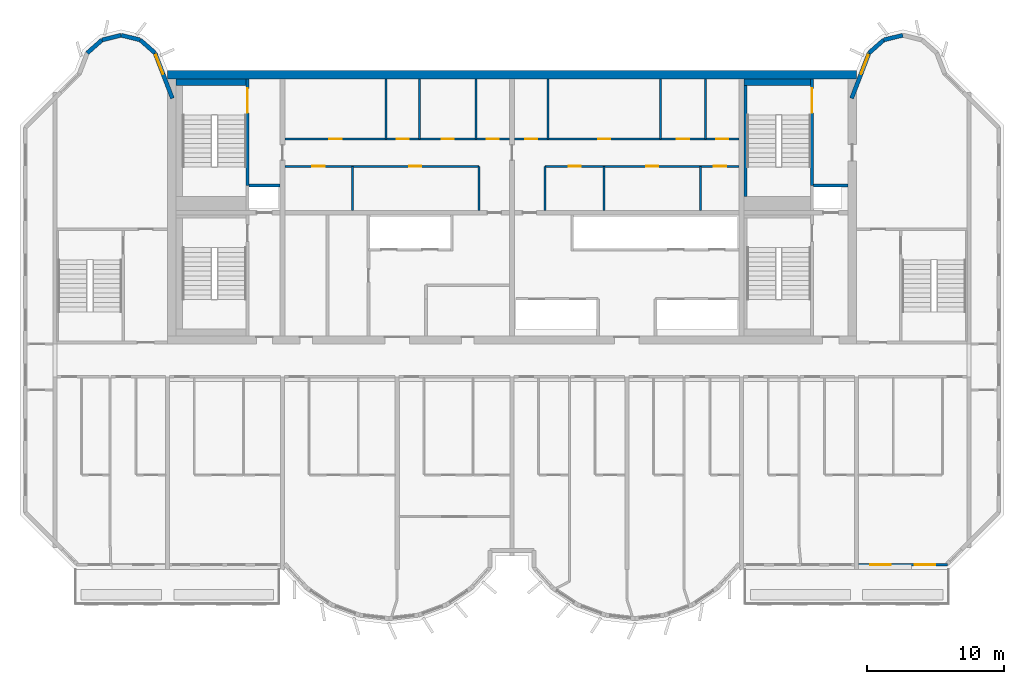
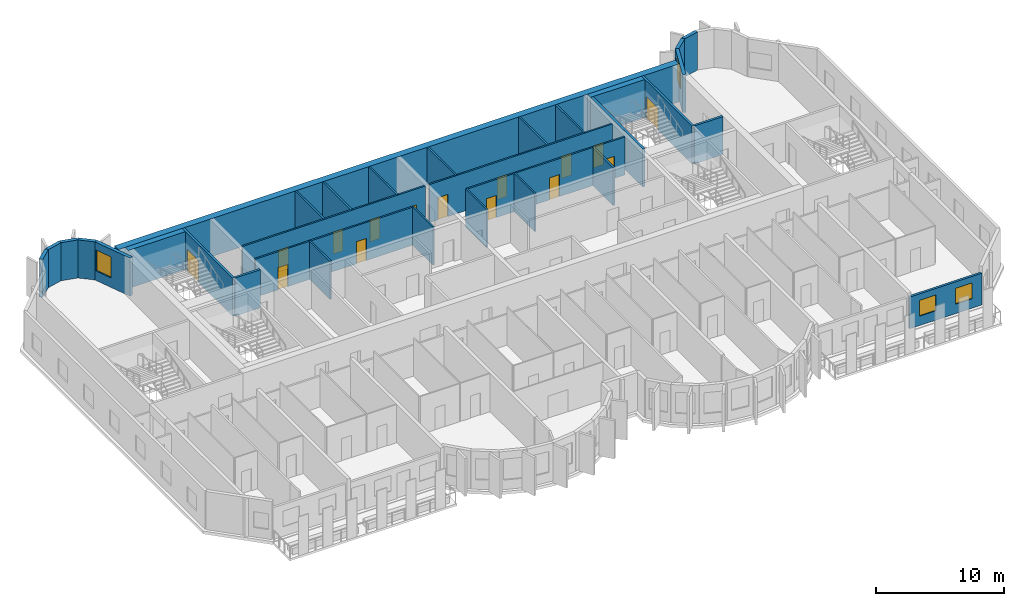
# One storey, part 7 of 11: 32 walls, 15 doors, 4 windows, 19 openings.
"""IFC4 building model written with IfcOpenShell, lengths in metres."""

from ifc_helpers import new_model, si_unit, direction, frame, frame_2d, origin, place, context, subcontext, project, spatial, rectangle, extrude, source, transform, mapped, material, layer, layer_set, type_object, element, fill, save


model = new_model("IFC4")

# Units and contexts
model_context = context("Model", 3, precision=1e-05, world=origin(), true_north=direction((0.0, 1.0)))
body_context = subcontext(model_context, "Body", "Model", "MODEL_VIEW")
ifc_project = project(units=[si_unit("LENGTHUNIT", "METRE"), si_unit("AREAUNIT", "SQUARE_METRE"), si_unit("VOLUMEUNIT", "CUBIC_METRE"), si_unit("PLANEANGLEUNIT", "RADIAN"), si_unit("MASSUNIT", "GRAM", prefix="KILO")], contexts=[model_context])

# Site, building, storey
site_placement = place(None, origin())
site = spatial("IfcSite", under=ifc_project, at=site_placement, CompositionType="ELEMENT")
building_placement = place(site_placement, origin())
building = spatial("IfcBuilding", under=site, at=building_placement, Name="Vanashikhar Sky Hotel", CompositionType="ELEMENT")
storey_placement = place(building_placement, frame((0.0, 0.0, 217.89990234375)))
storey = spatial("IfcBuildingStorey", under=building, at=storey_placement, Name="L52", CompositionType="ELEMENT", Elevation=217.89990234375)

# Wall
ifc_material_1 = material(Name="Concrete M60", Category="concrete")
ifc_layer_1 = layer(ifc_material_1, 0.60009765625)
ifc_layer_set_1 = layer_set([ifc_layer_1], Name="RC core shell wall 600 Concrete M60")
wall_type_1 = type_object("IfcWallType", Name="RC core shell wall 600 Concrete M60", PredefinedType="SHEAR", material=ifc_layer_set_1)
shared_shape_1 = source(origin(), body_context, "Body", "SweptSolid", [
    extrude(rectangle(XDim=50.400146484375, YDim=0.60009765625, at=frame_2d((25.2001953125, 0.0))), origin(), (0.0, 0.0, 1.0), 3.6201171875),
])
wall_1_placement = place(storey_placement, frame((25.199951171875, 41.699951171875, 0.0), z_axis=(0.0, 0.0, 1.0), x_axis=(1.0, 0.0, 0.0)))
element("IfcWall", 1, at=wall_1_placement, inside=storey, type_object=wall_type_1, Name="KW-L52-KN", PredefinedType="SHEAR", context=body_context, shape_type="MappedRepresentation", body=[
    mapped(shared_shape_1, transform((0.0, 0.0, 0.0), scale=1.0)),
])

# Wall, openings, windows
ifc_material_2 = material(Name="Concrete M50", Category="concrete")
ifc_layer_2 = layer(ifc_material_2, 0.199951171875)
ifc_layer_set_2 = layer_set([ifc_layer_2], Name="Front window wall 200")
wall_type_2 = type_object("IfcWallType", Name="Front window wall 200", PredefinedType="SOLIDWALL", material=ifc_layer_set_2)
shared_shape_2 = source(origin(), body_context, "Body", "SweptSolid", [
    extrude(rectangle(XDim=6.5048828125, YDim=0.199951171875, at=frame_2d((3.25244140625, 0.0))), origin(), (0.0, 0.0, 1.0), 3.02001953125),
])
wall_2_placement = place(storey_placement, frame((75.75, 5.85009765625, 0.0), z_axis=(0.0, 0.0, 1.0), x_axis=(1.0, 0.0, 0.0)))
wall_2 = element("IfcWall", 2, at=wall_2_placement, inside=storey, type_object=wall_type_2, Name="Front window wall", PredefinedType="SOLIDWALL", context=body_context, shape_type="MappedRepresentation", body=[
    mapped(shared_shape_2, transform((0.0, 0.0, 0.0), scale=1.0)),
])
shared_shape_3 = source(origin(), body_context, "Body", "SweptSolid", [
    extrude(rectangle(XDim=1.5, YDim=1.5, at=frame_2d((0.75, 0.75))), frame((0.0, 0.10986328125, 0.0), z_axis=(0.0, -1.0, 0.0), x_axis=(1.0, 0.0, 0.0)), (0.0, 0.0, 1.0), 0.219970703125),
])
opening_1_placement = place(wall_2_placement, frame((0.876220703125, 0.0, 0.89990234375)))
opening_1 = element("IfcOpeningElement", 3, at=opening_1_placement, cuts=wall_2, Name="Opening WN-1", PredefinedType="OPENING", context=body_context, shape_type="MappedRepresentation", body=[
    mapped(shared_shape_3, transform((0.0, 0.0, 0.0), scale=1.0)),
])
opening_2_placement = place(wall_2_placement, frame((4.128662109375, 0.0, 0.89990234375)))
opening_2 = element("IfcOpeningElement", 4, at=opening_2_placement, cuts=wall_2, Name="Opening WN-1", PredefinedType="OPENING", context=body_context, shape_type="MappedRepresentation", body=[
    mapped(shared_shape_3, transform((0.0, 0.0, 0.0), scale=1.0)),
])
ifc_material_3 = material(Name="Glass", Category="glass")
window_type_1 = type_object("IfcWindowType", Name="Window 1500 x 1500", PartitioningType="SINGLE_PANEL", PredefinedType="WINDOW", material=ifc_material_3)
shared_shape_4 = source(origin(), body_context, "Body", "SweptSolid", [
    extrude(rectangle(XDim=1.5, YDim=1.5, at=frame_2d((0.75, 0.75))), frame((0.0, 0.030029296875, 0.0), z_axis=(0.0, -1.0, 0.0), x_axis=(1.0, 0.0, 0.0)), (0.0, 0.0, 1.0), 0.06005859375),
])
window_1_placement = place(opening_1_placement, origin())
window_1 = element("IfcWindow", 5, at=window_1_placement, inside=storey, type_object=window_type_1, Name="Window WN-1", OverallHeight=1.5, OverallWidth=1.5, PartitioningType="SINGLE_PANEL", PredefinedType="WINDOW", context=body_context, shape_type="MappedRepresentation", body=[
    mapped(shared_shape_4, transform((0.0, 0.0, 0.0), scale=1.0)),
])
fill(opening_1, window_1)
window_2_placement = place(opening_2_placement, origin())
window_2 = element("IfcWindow", 6, at=window_2_placement, inside=storey, type_object=window_type_1, Name="Window WN-1", OverallHeight=1.5, OverallWidth=1.5, PartitioningType="SINGLE_PANEL", PredefinedType="WINDOW", context=body_context, shape_type="MappedRepresentation", body=[
    mapped(shared_shape_4, transform((0.0, 0.0, 0.0), scale=1.0)),
])
fill(opening_2, window_2)

# Walls
ifc_layer_3 = layer(ifc_material_2, 0.300048828125)
ifc_layer_set_3 = layer_set([ifc_layer_3], Name="Lobe wall 300")
wall_type_3 = type_object("IfcWallType", Name="Lobe wall 300", PredefinedType="SOLIDWALL", material=ifc_layer_set_3)
shared_shape_5 = source(origin(), body_context, "Body", "SweptSolid", [
    extrude(rectangle(XDim=1.43994140625, YDim=0.300048828125, at=frame_2d((0.719970703125, 0.0))), origin(), (0.0, 0.0, 1.0), 3.6201171875),
])
for number, where, z_axis, x_axis, name in (
    (7, (77.602783203125, 44.2451171875, 0.0), (0.0, 0.0, 1.0), (-0.74957555648, -0.661918790432, 0.0), "Lobe wall"),
    (8, (20.40283203125, 44.2451171875, 0.0), (0.0, 0.0, 1.0), (-0.74957555648, -0.661918790432, 0.0), "Lobe wall"),
):
    element("IfcWall", number, at=place(storey_placement, frame(where, z_axis=z_axis, x_axis=x_axis)), inside=storey, type_object=wall_type_3, Name=name, PredefinedType="SOLIDWALL", context=body_context, shape_type="MappedRepresentation", body=[
        mapped(shared_shape_5, transform((0.0, 0.0, 0.0), scale=1.0)),
    ])
shared_shape_6 = source(origin(), body_context, "Body", "SweptSolid", [
    extrude(rectangle(XDim=1.438720703125, YDim=0.300048828125, at=frame_2d((0.71923828125, 0.0))), origin(), (0.0, 0.0, 1.0), 3.6201171875),
])
for number, where, z_axis, x_axis, name in (
    (9, (79.0, 44.588134765625, 0.0), (0.0, 0.0, 1.0), (-0.971161932466, -0.238420848351, 0.0), "Lobe wall"),
    (10, (21.800048828125, 44.588134765625, 0.0), (0.0, 0.0, 1.0), (-0.971161932466, -0.238420848351, 0.0), "Lobe wall"),
):
    element("IfcWall", number, at=place(storey_placement, frame(where, z_axis=z_axis, x_axis=x_axis)), inside=storey, type_object=wall_type_3, Name=name, PredefinedType="SOLIDWALL", context=body_context, shape_type="MappedRepresentation", body=[
        mapped(shared_shape_6, transform((0.0, 0.0, 0.0), scale=1.0)),
    ])

# Wall, opening, window
shared_shape_7 = source(origin(), body_context, "Body", "SweptSolid", [
    extrude(rectangle(XDim=3.55908203125, YDim=0.300048828125, at=frame_2d((1.779541015625, 0.0))), origin(), (0.0, 0.0, 1.0), 3.6201171875),
])
wall_3_placement = place(storey_placement, frame((76.5234375, 43.2919921875, 0.0), z_axis=(0.0, 0.0, 1.0), x_axis=(-0.35779745313, -0.933799219604, 0.0)))
wall_3 = element("IfcWall", 11, at=wall_3_placement, inside=storey, type_object=wall_type_3, Name="Lobe wall", PredefinedType="SOLIDWALL", context=body_context, shape_type="MappedRepresentation", body=[
    mapped(shared_shape_7, transform((0.0, 0.0, 0.0), scale=1.0)),
])
shared_shape_8 = source(origin(), body_context, "Body", "SweptSolid", [
    extrude(rectangle(XDim=1.5, YDim=2.0, at=frame_2d((0.75, 1.0))), frame((0.0, 0.16015625, 0.0), z_axis=(0.0, -1.0, 0.0), x_axis=(1.0, 0.0, 0.0)), (0.0, 0.0, 1.0), 0.320068359375),
])
opening_3_placement = place(wall_3_placement, frame((0.156005859375, 0.0, 0.89990234375)))
opening_3 = element("IfcOpeningElement", 12, at=opening_3_placement, cuts=wall_3, Name="Opening WN-2", PredefinedType="OPENING", context=body_context, shape_type="MappedRepresentation", body=[
    mapped(shared_shape_8, transform((0.0, 0.0, 0.0), scale=1.0)),
])
window_type_2 = type_object("IfcWindowType", Name="Lobe window 1500 x 2000", PartitioningType="SINGLE_PANEL", PredefinedType="WINDOW", material=ifc_material_3)
shared_shape_9 = source(origin(), body_context, "Body", "SweptSolid", [
    extrude(rectangle(XDim=1.5, YDim=2.0, at=frame_2d((0.75, 1.0))), frame((0.0, 0.030029296875, 0.0), z_axis=(0.0, -1.0, 0.0), x_axis=(1.0, 0.0, 0.0)), (0.0, 0.0, 1.0), 0.06005859375),
])
window_3_placement = place(opening_3_placement, origin())
window_3 = element("IfcWindow", 13, at=window_3_placement, inside=storey, type_object=window_type_2, Name="Window WN-2", OverallHeight=2.0, OverallWidth=1.5, PartitioningType="SINGLE_PANEL", PredefinedType="WINDOW", context=body_context, shape_type="MappedRepresentation", body=[
    mapped(shared_shape_9, transform((0.0, 0.0, 0.0), scale=1.0)),
])
fill(opening_3, window_3)

wall_4_placement = place(storey_placement, frame((25.550048828125, 39.968505859375, 0.0), z_axis=(0.0, 0.0, 1.0), x_axis=(-0.35779745313, 0.933799219604, 0.0)))
wall_4 = element("IfcWall", 14, at=wall_4_placement, inside=storey, type_object=wall_type_3, Name="Lobe wall", PredefinedType="SOLIDWALL", context=body_context, shape_type="MappedRepresentation", body=[
    mapped(shared_shape_7, transform((0.0, 0.0, 0.0), scale=1.0)),
])
opening_4_placement = place(wall_4_placement, frame((1.9033203125, 0.0, 0.89990234375)))
opening_4 = element("IfcOpeningElement", 15, at=opening_4_placement, cuts=wall_4, Name="Opening WN-2", PredefinedType="OPENING", context=body_context, shape_type="MappedRepresentation", body=[
    mapped(shared_shape_8, transform((0.0, 0.0, 0.0), scale=1.0)),
])
window_4_placement = place(opening_4_placement, origin())
window_4 = element("IfcWindow", 16, at=window_4_placement, inside=storey, type_object=window_type_2, Name="Window WN-2", OverallHeight=2.0, OverallWidth=1.5, PartitioningType="SINGLE_PANEL", PredefinedType="WINDOW", context=body_context, shape_type="MappedRepresentation", body=[
    mapped(shared_shape_9, transform((0.0, 0.0, 0.0), scale=1.0)),
])
fill(opening_4, window_4)

# Walls
shared_shape_10 = source(origin(), body_context, "Body", "SweptSolid", [
    extrude(rectangle(XDim=1.440185546875, YDim=0.300048828125, at=frame_2d((0.72021484375, 0.0))), origin(), (0.0, 0.0, 1.0), 3.6201171875),
])
wall_5_placement = place(storey_placement, frame((24.276611328125, 43.2919921875, 0.0), z_axis=(0.0, 0.0, 1.0), x_axis=(-0.749649827867, 0.661834673902, 0.0)))
element("IfcWall", 17, at=wall_5_placement, inside=storey, type_object=wall_type_3, Name="Lobe wall", PredefinedType="SOLIDWALL", context=body_context, shape_type="MappedRepresentation", body=[
    mapped(shared_shape_10, transform((0.0, 0.0, 0.0), scale=1.0)),
])
shared_shape_11 = source(origin(), body_context, "Body", "SweptSolid", [
    extrude(rectangle(XDim=1.4384765625, YDim=0.300048828125, at=frame_2d((0.71923828125, 0.0))), origin(), (0.0, 0.0, 1.0), 3.6201171875),
])
wall_6_placement = place(storey_placement, frame((23.197021484375, 44.2451171875, 0.0), z_axis=(0.0, 0.0, 1.0), x_axis=(-0.971152283879, 0.238460146601, 0.0)))
element("IfcWall", 18, at=wall_6_placement, inside=storey, type_object=wall_type_3, Name="Lobe wall", PredefinedType="SOLIDWALL", context=body_context, shape_type="MappedRepresentation", body=[
    mapped(shared_shape_11, transform((0.0, 0.0, 0.0), scale=1.0)),
])
ifc_material_4 = material(Name="Gypsum board partition")
ifc_layer_4 = layer(ifc_material_4, 0.14990234375)
ifc_layer_set_4 = layer_set([ifc_layer_4], Name="Service partition 150")
wall_type_4 = type_object("IfcWallType", Name="Service partition 150", PredefinedType="PARTITIONING", material=ifc_layer_set_4)
shared_shape_12 = source(origin(), body_context, "Body", "SweptSolid", [
    extrude(rectangle(XDim=3.22509765625, YDim=0.14990234375, at=frame_2d((1.612548828125, 0.0))), origin(), (0.0, 0.0, 1.0), 3.6201171875),
])
for number, where, z_axis, x_axis, name in (
    (19, (48.0, 31.77490234375, 0.0), (0.0, 0.0, 1.0), (0.0, 1.0, 0.0), "Service partition 150"),
    (20, (38.72705078125, 31.77490234375, 0.0), (0.0, 0.0, 1.0), (0.0, 1.0, 0.0), "Service partition 150"),
    (21, (52.800048828125, 31.77490234375, 0.0), (0.0, 0.0, 1.0), (0.0, 1.0, 0.0), "Service partition 150"),
    (22, (64.195068359375, 31.77490234375, 0.0), (0.0, 0.0, 1.0), (0.0, 1.0, 0.0), "Service partition 150"),
    (23, (57.1201171875, 31.77490234375, 0.0), (0.0, 0.0, 1.0), (0.0, 1.0, 0.0), "Service partition 150"),
):
    element("IfcWall", number, at=place(storey_placement, frame(where, z_axis=z_axis, x_axis=x_axis)), inside=storey, type_object=wall_type_4, Name=name, PredefinedType="PARTITIONING", context=body_context, shape_type="MappedRepresentation", body=[
        mapped(shared_shape_12, transform((0.0, 0.0, 0.0), scale=1.0)),
    ])

# Wall, openings, doors
shared_shape_13 = source(origin(), body_context, "Body", "SweptSolid", [
    extrude(rectangle(XDim=14.22509765625, YDim=0.14990234375, at=frame_2d((7.112548828125, 0.0))), origin(), (0.0, 0.0, 1.0), 3.6201171875),
])
wall_7_placement = place(storey_placement, frame((33.77490234375, 35.0, 0.0), z_axis=(0.0, 0.0, 1.0), x_axis=(1.0, 0.0, 0.0)))
wall_7 = element("IfcWall", 24, at=wall_7_placement, inside=storey, type_object=wall_type_4, Name="Service partition 150", PredefinedType="PARTITIONING", context=body_context, shape_type="MappedRepresentation", body=[
    mapped(shared_shape_13, transform((0.0, 0.0, 0.0), scale=1.0)),
])
shared_shape_14 = source(origin(), body_context, "Body", "SweptSolid", [
    extrude(rectangle(XDim=0.89990234375, YDim=2.10009765625, at=frame_2d((0.449951171875, 1.050048828125))), frame((0.0, 0.0849609375, 0.0), z_axis=(0.0, -1.0, 0.0), x_axis=(1.0, 0.0, 0.0)), (0.0, 0.0, 1.0), 0.169921875),
])
opening_5_placement = place(wall_7_placement, frame((2.02587890625, 0.0, 0.0)))
opening_5 = element("IfcOpeningElement", 25, at=opening_5_placement, cuts=wall_7, Name="Opening DC-4-A", PredefinedType="OPENING", context=body_context, shape_type="MappedRepresentation", body=[
    mapped(shared_shape_14, transform((0.0, 0.0, 0.0), scale=1.0)),
])
opening_6_placement = place(wall_7_placement, frame((9.10107421875, 0.0, 0.0)))
opening_6 = element("IfcOpeningElement", 26, at=opening_6_placement, cuts=wall_7, Name="Opening DC-4-A", PredefinedType="OPENING", context=body_context, shape_type="MappedRepresentation", body=[
    mapped(shared_shape_14, transform((0.0, 0.0, 0.0), scale=1.0)),
])
ifc_material_5 = material(Name="Steel", Category="steel")
door_type_1 = type_object("IfcDoorType", Name="Service door 900 FD60", OperationType="NOTDEFINED", PredefinedType="DOOR", material=ifc_material_5)
shared_shape_15 = source(origin(), body_context, "Body", "SweptSolid", [
    extrude(rectangle(XDim=0.89990234375, YDim=2.10009765625, at=frame_2d((0.449951171875, 1.050048828125))), frame((0.0, 0.02490234375, 0.0), z_axis=(0.0, -1.0, 0.0), x_axis=(1.0, 0.0, 0.0)), (0.0, 0.0, 1.0), 0.050048828125),
])
door_1_placement = place(opening_5_placement, origin())
door_1 = element("IfcDoor", 27, at=door_1_placement, inside=storey, type_object=door_type_1, Name="Service door 900 FD60", OperationType="SINGLE_SWING_LEFT", OverallHeight=2.10009765625, OverallWidth=0.89990234375, PredefinedType="DOOR", context=body_context, shape_type="MappedRepresentation", body=[
    mapped(shared_shape_15, transform((0.0, 0.0, 0.0), scale=1.0)),
])
fill(opening_5, door_1)
door_2_placement = place(opening_6_placement, origin())
door_2 = element("IfcDoor", 28, at=door_2_placement, inside=storey, type_object=door_type_1, Name="Service door 900 FD60", OperationType="SINGLE_SWING_RIGHT", OverallHeight=2.10009765625, OverallWidth=0.89990234375, PredefinedType="DOOR", context=body_context, shape_type="MappedRepresentation", body=[
    mapped(shared_shape_15, transform((0.0, 0.0, 0.0), scale=1.0)),
])
fill(opening_6, door_2)

shared_shape_16 = source(origin(), body_context, "Body", "SweptSolid", [
    extrude(rectangle(XDim=16.4501953125, YDim=0.14990234375, at=frame_2d((8.22509765625, 0.0))), origin(), (0.0, 0.0, 1.0), 3.6201171875),
])
wall_8_placement = place(storey_placement, frame((33.77490234375, 37.0, 0.0), z_axis=(0.0, 0.0, 1.0), x_axis=(1.0, 0.0, 0.0)))
wall_8 = element("IfcWall", 29, at=wall_8_placement, inside=storey, type_object=wall_type_4, Name="Service partition 150", PredefinedType="PARTITIONING", context=body_context, shape_type="MappedRepresentation", body=[
    mapped(shared_shape_16, transform((0.0, 0.0, 0.0), scale=1.0)),
])
opening_7_placement = place(wall_8_placement, frame((3.2509765625, 0.0, 0.0)))
opening_7 = element("IfcOpeningElement", 30, at=opening_7_placement, cuts=wall_8, Name="Opening DC-4-A", PredefinedType="OPENING", context=body_context, shape_type="MappedRepresentation", body=[
    mapped(shared_shape_14, transform((0.0, 0.0, 0.0), scale=1.0)),
])
opening_8_placement = place(wall_8_placement, frame((8.18603515625, 0.0, 0.0)))
opening_8 = element("IfcOpeningElement", 31, at=opening_8_placement, cuts=wall_8, Name="Opening DC-4-A", PredefinedType="OPENING", context=body_context, shape_type="MappedRepresentation", body=[
    mapped(shared_shape_14, transform((0.0, 0.0, 0.0), scale=1.0)),
])
opening_9_placement = place(wall_8_placement, frame((11.47607421875, 0.0, 0.0)))
opening_9 = element("IfcOpeningElement", 32, at=opening_9_placement, cuts=wall_8, Name="Opening DC-4-A", PredefinedType="OPENING", context=body_context, shape_type="MappedRepresentation", body=[
    mapped(shared_shape_14, transform((0.0, 0.0, 0.0), scale=1.0)),
])
opening_10_placement = place(wall_8_placement, frame((14.76611328125, 0.0, 0.0)))
opening_10 = element("IfcOpeningElement", 33, at=opening_10_placement, cuts=wall_8, Name="Opening DC-4-A", PredefinedType="OPENING", context=body_context, shape_type="MappedRepresentation", body=[
    mapped(shared_shape_14, transform((0.0, 0.0, 0.0), scale=1.0)),
])
door_3_placement = place(opening_7_placement, origin())
door_3 = element("IfcDoor", 34, at=door_3_placement, inside=storey, type_object=door_type_1, Name="Service door 900 FD60", OperationType="SINGLE_SWING_LEFT", OverallHeight=2.10009765625, OverallWidth=0.89990234375, PredefinedType="DOOR", context=body_context, shape_type="MappedRepresentation", body=[
    mapped(shared_shape_15, transform((0.0, 0.0, 0.0), scale=1.0)),
])
fill(opening_7, door_3)
door_4_placement = place(opening_8_placement, origin())
door_4 = element("IfcDoor", 35, at=door_4_placement, inside=storey, type_object=door_type_1, Name="Service door 900 FD60", OperationType="SINGLE_SWING_LEFT", OverallHeight=2.10009765625, OverallWidth=0.89990234375, PredefinedType="DOOR", context=body_context, shape_type="MappedRepresentation", body=[
    mapped(shared_shape_15, transform((0.0, 0.0, 0.0), scale=1.0)),
])
fill(opening_8, door_4)
door_5_placement = place(opening_9_placement, origin())
door_5 = element("IfcDoor", 36, at=door_5_placement, inside=storey, type_object=door_type_1, Name="Service door 900 FD60", OperationType="SINGLE_SWING_LEFT", OverallHeight=2.10009765625, OverallWidth=0.89990234375, PredefinedType="DOOR", context=body_context, shape_type="MappedRepresentation", body=[
    mapped(shared_shape_15, transform((0.0, 0.0, 0.0), scale=1.0)),
])
fill(opening_9, door_5)
door_6_placement = place(opening_10_placement, origin())
door_6 = element("IfcDoor", 37, at=door_6_placement, inside=storey, type_object=door_type_1, Name="Service door 900 FD60", OperationType="SINGLE_SWING_LEFT", OverallHeight=2.10009765625, OverallWidth=0.89990234375, PredefinedType="DOOR", context=body_context, shape_type="MappedRepresentation", body=[
    mapped(shared_shape_15, transform((0.0, 0.0, 0.0), scale=1.0)),
])
fill(opening_10, door_6)

# Walls
shared_shape_17 = source(origin(), body_context, "Body", "SweptSolid", [
    extrude(rectangle(XDim=4.39990234375, YDim=0.14990234375, at=frame_2d((2.199951171875, 0.0))), origin(), (0.0, 0.0, 1.0), 3.6201171875),
])
for number, where, z_axis, x_axis, name in (
    (38, (41.177978515625, 37.0, 0.0), (0.0, 0.0, 1.0), (0.0, 1.0, 0.0), "Service partition 150"),
    (39, (43.64501953125, 37.0, 0.0), (0.0, 0.0, 1.0), (0.0, 1.0, 0.0), "Service partition 150"),
    (40, (47.758056640625, 37.0, 0.0), (0.0, 0.0, 1.0), (0.0, 1.0, 0.0), "Service partition 150"),
    (41, (64.55810546875, 37.0, 0.0), (0.0, 0.0, 1.0), (0.0, 1.0, 0.0), "Service partition 150"),
    (42, (61.26708984375, 37.0, 0.0), (0.0, 0.0, 1.0), (0.0, 1.0, 0.0), "Service partition 150"),
    (43, (53.0419921875, 37.0, 0.0), (0.0, 0.0, 1.0), (0.0, 1.0, 0.0), "Service partition 150"),
):
    element("IfcWall", number, at=place(storey_placement, frame(where, z_axis=z_axis, x_axis=x_axis)), inside=storey, type_object=wall_type_4, Name=name, PredefinedType="PARTITIONING", context=body_context, shape_type="MappedRepresentation", body=[
        mapped(shared_shape_17, transform((0.0, 0.0, 0.0), scale=1.0)),
    ])

# Wall, openings, doors
shared_shape_18 = source(origin(), body_context, "Body", "SweptSolid", [
    extrude(rectangle(XDim=14.224853515625, YDim=0.14990234375, at=frame_2d((7.1123046875, 0.0))), origin(), (0.0, 0.0, 1.0), 3.6201171875),
])
wall_9_placement = place(storey_placement, frame((67.02490234375, 35.0, 0.0), z_axis=(0.0, 0.0, 1.0), x_axis=(-1.0, 0.0, 0.0)))
wall_9 = element("IfcWall", 44, at=wall_9_placement, inside=storey, type_object=wall_type_4, Name="Service partition 150", PredefinedType="PARTITIONING", context=body_context, shape_type="MappedRepresentation", body=[
    mapped(shared_shape_18, transform((0.0, 0.0, 0.0), scale=1.0)),
])
opening_11_placement = place(wall_9_placement, frame((0.965087890625, 0.0, 0.0)))
opening_11 = element("IfcOpeningElement", 45, at=opening_11_placement, cuts=wall_9, Name="Opening DC-4-A", PredefinedType="OPENING", context=body_context, shape_type="MappedRepresentation", body=[
    mapped(shared_shape_14, transform((0.0, 0.0, 0.0), scale=1.0)),
])
opening_12_placement = place(wall_9_placement, frame((5.91796875, 0.0, 0.0)))
opening_12 = element("IfcOpeningElement", 46, at=opening_12_placement, cuts=wall_9, Name="Opening DC-4-A", PredefinedType="OPENING", context=body_context, shape_type="MappedRepresentation", body=[
    mapped(shared_shape_14, transform((0.0, 0.0, 0.0), scale=1.0)),
])
opening_13_placement = place(wall_9_placement, frame((11.576904296875, 0.0, 0.0)))
opening_13 = element("IfcOpeningElement", 47, at=opening_13_placement, cuts=wall_9, Name="Opening DC-4-A", PredefinedType="OPENING", context=body_context, shape_type="MappedRepresentation", body=[
    mapped(shared_shape_14, transform((0.0, 0.0, 0.0), scale=1.0)),
])
door_7_placement = place(opening_11_placement, origin())
door_7 = element("IfcDoor", 48, at=door_7_placement, inside=storey, type_object=door_type_1, Name="Service door 900 FD60", OperationType="SINGLE_SWING_RIGHT", OverallHeight=2.10009765625, OverallWidth=0.89990234375, PredefinedType="DOOR", context=body_context, shape_type="MappedRepresentation", body=[
    mapped(shared_shape_15, transform((0.0, 0.0, 0.0), scale=1.0)),
])
fill(opening_11, door_7)
door_8_placement = place(opening_12_placement, origin())
door_8 = element("IfcDoor", 49, at=door_8_placement, inside=storey, type_object=door_type_1, Name="Service door 900 FD60", OperationType="SINGLE_SWING_RIGHT", OverallHeight=2.10009765625, OverallWidth=0.89990234375, PredefinedType="DOOR", context=body_context, shape_type="MappedRepresentation", body=[
    mapped(shared_shape_15, transform((0.0, 0.0, 0.0), scale=1.0)),
])
fill(opening_12, door_8)
door_9_placement = place(opening_13_placement, origin())
door_9 = element("IfcDoor", 50, at=door_9_placement, inside=storey, type_object=door_type_1, Name="Service door 900 FD60", OperationType="SINGLE_SWING_RIGHT", OverallHeight=2.10009765625, OverallWidth=0.89990234375, PredefinedType="DOOR", context=body_context, shape_type="MappedRepresentation", body=[
    mapped(shared_shape_15, transform((0.0, 0.0, 0.0), scale=1.0)),
])
fill(opening_13, door_9)

shared_shape_19 = source(origin(), body_context, "Body", "SweptSolid", [
    extrude(rectangle(XDim=16.449951171875, YDim=0.14990234375, at=frame_2d((8.22509765625, 0.0))), origin(), (0.0, 0.0, 1.0), 3.6201171875),
])
wall_10_placement = place(storey_placement, frame((67.02490234375, 37.0, 0.0), z_axis=(0.0, 0.0, 1.0), x_axis=(-1.0, 0.0, 0.0)))
wall_10 = element("IfcWall", 51, at=wall_10_placement, inside=storey, type_object=wall_type_4, Name="Service partition 150", PredefinedType="PARTITIONING", context=body_context, shape_type="MappedRepresentation", body=[
    mapped(shared_shape_19, transform((0.0, 0.0, 0.0), scale=1.0)),
])
opening_14_placement = place(wall_10_placement, frame((0.783935546875, 0.0, 0.0)))
opening_14 = element("IfcOpeningElement", 52, at=opening_14_placement, cuts=wall_10, Name="Opening DC-4-A", PredefinedType="OPENING", context=body_context, shape_type="MappedRepresentation", body=[
    mapped(shared_shape_14, transform((0.0, 0.0, 0.0), scale=1.0)),
])
opening_15_placement = place(wall_10_placement, frame((3.6630859375, 0.0, 0.0)))
opening_15 = element("IfcOpeningElement", 53, at=opening_15_placement, cuts=wall_10, Name="Opening DC-4-A", PredefinedType="OPENING", context=body_context, shape_type="MappedRepresentation", body=[
    mapped(shared_shape_14, transform((0.0, 0.0, 0.0), scale=1.0)),
])
opening_16_placement = place(wall_10_placement, frame((9.419921875, 0.0, 0.0)))
opening_16 = element("IfcOpeningElement", 54, at=opening_16_placement, cuts=wall_10, Name="Opening DC-4-A", PredefinedType="OPENING", context=body_context, shape_type="MappedRepresentation", body=[
    mapped(shared_shape_14, transform((0.0, 0.0, 0.0), scale=1.0)),
])
opening_17_placement = place(wall_10_placement, frame((14.76611328125, 0.0, 0.0)))
opening_17 = element("IfcOpeningElement", 55, at=opening_17_placement, cuts=wall_10, Name="Opening DC-4-A", PredefinedType="OPENING", context=body_context, shape_type="MappedRepresentation", body=[
    mapped(shared_shape_14, transform((0.0, 0.0, 0.0), scale=1.0)),
])
door_10_placement = place(opening_14_placement, origin())
door_10 = element("IfcDoor", 56, at=door_10_placement, inside=storey, type_object=door_type_1, Name="Service door 900 FD60", OperationType="SINGLE_SWING_LEFT", OverallHeight=2.10009765625, OverallWidth=0.89990234375, PredefinedType="DOOR", context=body_context, shape_type="MappedRepresentation", body=[
    mapped(shared_shape_15, transform((0.0, 0.0, 0.0), scale=1.0)),
])
fill(opening_14, door_10)
door_11_placement = place(opening_15_placement, origin())
door_11 = element("IfcDoor", 57, at=door_11_placement, inside=storey, type_object=door_type_1, Name="Service door 900 FD60", OperationType="SINGLE_SWING_LEFT", OverallHeight=2.10009765625, OverallWidth=0.89990234375, PredefinedType="DOOR", context=body_context, shape_type="MappedRepresentation", body=[
    mapped(shared_shape_15, transform((0.0, 0.0, 0.0), scale=1.0)),
])
fill(opening_15, door_11)
door_12_placement = place(opening_16_placement, origin())
door_12 = element("IfcDoor", 58, at=door_12_placement, inside=storey, type_object=door_type_1, Name="Service door 900 FD60", OperationType="SINGLE_SWING_LEFT", OverallHeight=2.10009765625, OverallWidth=0.89990234375, PredefinedType="DOOR", context=body_context, shape_type="MappedRepresentation", body=[
    mapped(shared_shape_15, transform((0.0, 0.0, 0.0), scale=1.0)),
])
fill(opening_16, door_12)
door_13_placement = place(opening_17_placement, origin())
door_13 = element("IfcDoor", 59, at=door_13_placement, inside=storey, type_object=door_type_1, Name="Service door 900 FD60", OperationType="SINGLE_SWING_RIGHT", OverallHeight=2.10009765625, OverallWidth=0.89990234375, PredefinedType="DOOR", context=body_context, shape_type="MappedRepresentation", body=[
    mapped(shared_shape_15, transform((0.0, 0.0, 0.0), scale=1.0)),
])
fill(opening_17, door_13)

# Wall
ifc_material_6 = material(Name="Concrete M40", Category="concrete")
ifc_layer_5 = layer(ifc_material_6, 0.199951171875)
ifc_layer_set_5 = layer_set([ifc_layer_5], Name="Shaft wall 200")
wall_type_5 = type_object("IfcWallType", Name="Shaft wall 200", PredefinedType="SOLIDWALL", material=ifc_layer_set_5)
shared_shape_20 = source(origin(), body_context, "Body", "SweptSolid", [
    extrude(rectangle(XDim=2.275146484375, YDim=0.199951171875, at=frame_2d((1.1376953125, 0.0))), origin(), (0.0, 0.0, 1.0), 3.6201171875),
])
wall_11_placement = place(storey_placement, frame((31.14990234375, 33.60009765625, 0.0), z_axis=(0.0, 0.0, 1.0), x_axis=(1.0, 0.0, 0.0)))
element("IfcWall", 60, at=wall_11_placement, inside=storey, type_object=wall_type_5, Name="Shaft wall 200", PredefinedType="SOLIDWALL", context=body_context, shape_type="MappedRepresentation", body=[
    mapped(shared_shape_20, transform((0.0, 0.0, 0.0), scale=1.0)),
])

# Wall, opening, door
ifc_layer_6 = layer(ifc_material_2, 0.199951171875)
ifc_layer_set_6 = layer_set([ifc_layer_6], Name="Stair wall 200")
wall_type_6 = type_object("IfcWallType", Name="Stair wall 200", PredefinedType="SOLIDWALL", material=ifc_layer_set_6)
shared_shape_21 = source(origin(), body_context, "Body", "SweptSolid", [
    extrude(rectangle(XDim=7.7998046875, YDim=0.199951171875, at=frame_2d((3.89990234375, 0.0))), origin(), (0.0, 0.0, 1.0), 3.6201171875),
])
wall_12_placement = place(storey_placement, frame((31.050048828125, 33.60009765625, 0.0), z_axis=(0.0, 0.0, 1.0), x_axis=(0.0, 1.0, 0.0)))
wall_12 = element("IfcWall", 61, at=wall_12_placement, inside=storey, type_object=wall_type_6, Name="Stair wall 200", PredefinedType="SOLIDWALL", context=body_context, shape_type="MappedRepresentation", body=[
    mapped(shared_shape_21, transform((0.0, 0.0, 0.0), scale=1.0)),
])
shared_shape_22 = source(origin(), body_context, "Body", "SweptSolid", [
    extrude(rectangle(XDim=1.800048828125, YDim=2.10009765625, at=frame_2d((0.89990234375, 1.050048828125))), frame((0.0, 0.10986328125, 0.0), z_axis=(0.0, -1.0, 0.0), x_axis=(1.0, 0.0, 0.0)), (0.0, 0.0, 1.0), 0.219970703125),
])
opening_18_placement = place(wall_12_placement, frame((5.300048828125, 0.0, 0.0)))
opening_18 = element("IfcOpeningElement", 62, at=opening_18_placement, cuts=wall_12, Name="Opening DC-1-A", PredefinedType="OPENING", context=body_context, shape_type="MappedRepresentation", body=[
    mapped(shared_shape_22, transform((0.0, 0.0, 0.0), scale=1.0)),
])
door_type_2 = type_object("IfcDoorType", Name="Stair door 1800 FD120", OperationType="NOTDEFINED", PredefinedType="DOOR", material=ifc_material_5)
shared_shape_23 = source(origin(), body_context, "Body", "SweptSolid", [
    extrude(rectangle(XDim=1.800048828125, YDim=2.10009765625, at=frame_2d((0.89990234375, 1.050048828125))), frame((0.0, 0.02490234375, 0.0), z_axis=(0.0, -1.0, 0.0), x_axis=(1.0, 0.0, 0.0)), (0.0, 0.0, 1.0), 0.050048828125),
])
door_14_placement = place(opening_18_placement, origin())
door_14 = element("IfcDoor", 63, at=door_14_placement, inside=storey, type_object=door_type_2, Name="Stair door 1800 FD120", OperationType="SINGLE_SWING_RIGHT", OverallHeight=2.10009765625, OverallWidth=1.800048828125, PredefinedType="DOOR", context=body_context, shape_type="MappedRepresentation", body=[
    mapped(shared_shape_23, transform((0.0, 0.0, 0.0), scale=1.0)),
])
fill(opening_18, door_14)

wall_13_placement = place(storey_placement, frame((72.35009765625, 33.60009765625, 0.0), z_axis=(0.0, 0.0, 1.0), x_axis=(0.0, 1.0, 0.0)))
wall_13 = element("IfcWall", 64, at=wall_13_placement, inside=storey, type_object=wall_type_6, Name="Stair wall 200", PredefinedType="SOLIDWALL", context=body_context, shape_type="MappedRepresentation", body=[
    mapped(shared_shape_21, transform((0.0, 0.0, 0.0), scale=1.0)),
])
opening_19_placement = place(wall_13_placement, frame((5.300048828125, 0.0, 0.0)))
opening_19 = element("IfcOpeningElement", 65, at=opening_19_placement, cuts=wall_13, Name="Opening DC-1-A", PredefinedType="OPENING", context=body_context, shape_type="MappedRepresentation", body=[
    mapped(shared_shape_22, transform((0.0, 0.0, 0.0), scale=1.0)),
])
door_15_placement = place(opening_19_placement, origin())
door_15 = element("IfcDoor", 66, at=door_15_placement, inside=storey, type_object=door_type_2, Name="Stair door 1800 FD120", OperationType="SINGLE_SWING_RIGHT", OverallHeight=2.10009765625, OverallWidth=1.800048828125, PredefinedType="DOOR", context=body_context, shape_type="MappedRepresentation", body=[
    mapped(shared_shape_23, transform((0.0, 0.0, 0.0), scale=1.0)),
])
fill(opening_19, door_15)

# Walls
shared_shape_24 = source(origin(), body_context, "Body", "SweptSolid", [
    extrude(rectangle(XDim=2.550048828125, YDim=0.199951171875, at=frame_2d((1.27490234375, 0.0))), origin(), (0.0, 0.0, 1.0), 3.6201171875),
])
wall_14_placement = place(storey_placement, frame((72.449951171875, 33.60009765625, 0.0), z_axis=(0.0, 0.0, 1.0), x_axis=(1.0, 0.0, 0.0)))
element("IfcWall", 67, at=wall_14_placement, inside=storey, type_object=wall_type_5, Name="Shaft wall 200", PredefinedType="SOLIDWALL", context=body_context, shape_type="MappedRepresentation", body=[
    mapped(shared_shape_24, transform((0.0, 0.0, 0.0), scale=1.0)),
])
ifc_layer_7 = layer(ifc_material_2, 0.5)
ifc_layer_set_7 = layer_set([ifc_layer_7], Name="Stair infill wall 500")
wall_type_7 = type_object("IfcWallType", Name="Stair infill wall 500", PredefinedType="SOLIDWALL", material=ifc_layer_set_7)
shared_shape_25 = source(origin(), body_context, "Body", "SweptSolid", [
    extrude(rectangle(XDim=5.14990234375, YDim=0.5, at=frame_2d((2.574951171875, 0.0))), origin(), (0.0, 0.0, 1.0), 3.6201171875),
])
wall_15_placement = place(storey_placement, frame((25.800048828125, 41.14990234375, 0.0), z_axis=(0.0, 0.0, 1.0), x_axis=(1.0, 0.0, 0.0)))
element("IfcWall", 68, at=wall_15_placement, inside=storey, type_object=wall_type_7, Name="Stair infill wall 500", PredefinedType="SOLIDWALL", context=body_context, shape_type="MappedRepresentation", body=[
    mapped(shared_shape_25, transform((0.0, 0.0, 0.0), scale=1.0)),
])
shared_shape_26 = source(origin(), body_context, "Body", "SweptSolid", [
    extrude(rectangle(XDim=4.875, YDim=0.5, at=frame_2d((2.4375, 0.0))), origin(), (0.0, 0.0, 1.0), 3.6201171875),
])
wall_16_placement = place(storey_placement, frame((67.375, 41.14990234375, 0.0), z_axis=(0.0, 0.0, 1.0), x_axis=(1.0, 0.0, 0.0)))
element("IfcWall", 69, at=wall_16_placement, inside=storey, type_object=wall_type_7, Name="Stair infill wall 500", PredefinedType="SOLIDWALL", context=body_context, shape_type="MappedRepresentation", body=[
    mapped(shared_shape_26, transform((0.0, 0.0, 0.0), scale=1.0)),
])
ifc_layer_8 = layer(ifc_material_2, 0.22509765625)
ifc_layer_set_8 = layer_set([ifc_layer_8], Name="Stair infill wall 225")
wall_type_8 = type_object("IfcWallType", Name="Stair infill wall 225", PredefinedType="SOLIDWALL", material=ifc_layer_set_8)
shared_shape_27 = source(origin(), body_context, "Body", "SweptSolid", [
    extrude(rectangle(XDim=8.099853515625, YDim=0.22509765625, at=frame_2d((4.0498046875, 0.0))), origin(), (0.0, 0.0, 1.0), 3.6201171875),
])
wall_17_placement = place(storey_placement, frame((67.487060546875, 32.800048828125, 0.0), z_axis=(0.0, 0.0, 1.0), x_axis=(0.0, 1.0, 0.0)))
element("IfcWall", 70, at=wall_17_placement, inside=storey, type_object=wall_type_8, Name="Stair infill wall 225", PredefinedType="SOLIDWALL", context=body_context, shape_type="MappedRepresentation", body=[
    mapped(shared_shape_27, transform((0.0, 0.0, 0.0), scale=1.0)),
])

save(model, "model.ifc")
